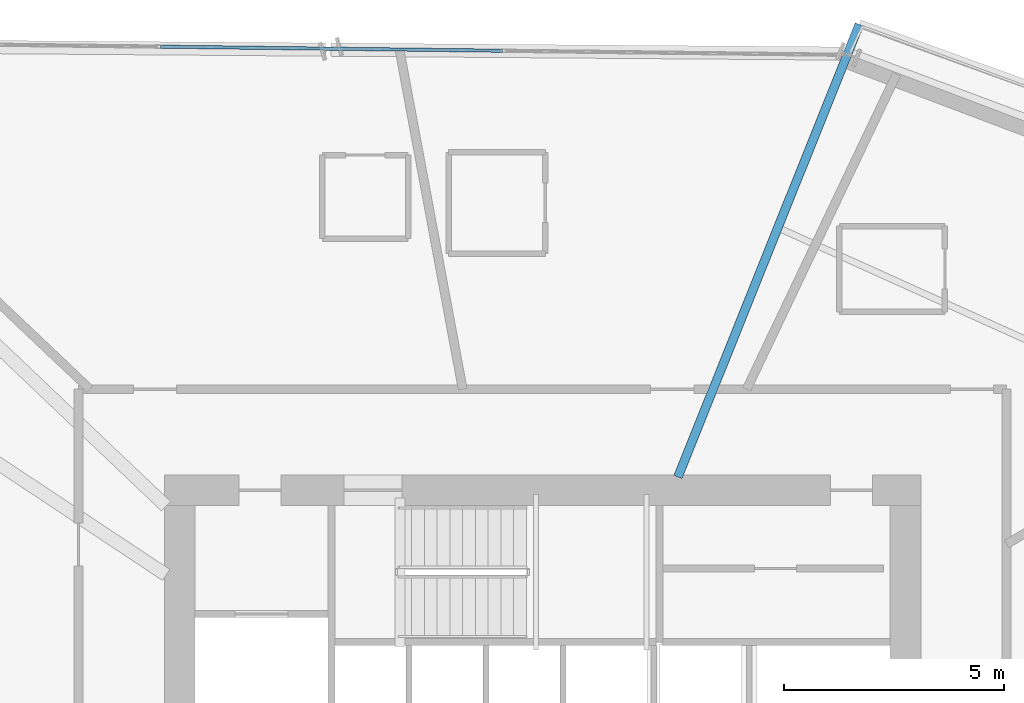
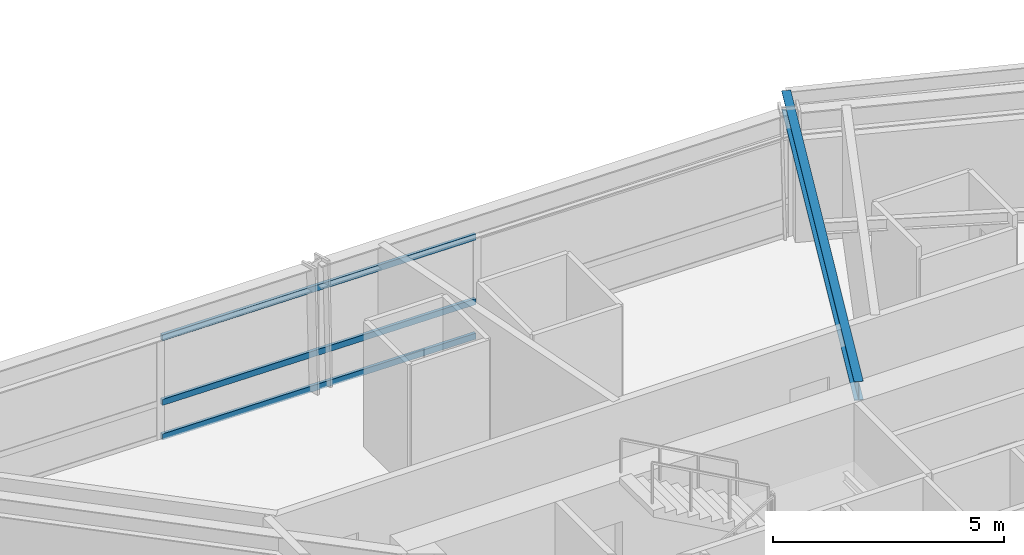
# One storey, part 7 of 21: 3 members, 1 beam, 1 element without a shape of its own.
"""IFC4 building model written with IfcOpenShell, lengths in metres."""

from ifc_helpers import new_model, si_unit, direction, frame, origin, origin_2d, place, context, subcontext, project, spatial, hollow_rectangle, i_section, extrude, source, transform, mapped, material, material_profile, profile_set, type_object, element, aggregate, save


model = new_model("IFC4")

# Units and contexts
model_context = context("Model", 3, precision=1e-05, world=origin(), true_north=direction((0.0, 1.0)))
body_context = subcontext(model_context, "Body", "Model", "MODEL_VIEW")
ifc_project = project(units=[si_unit("LENGTHUNIT", "METRE"), si_unit("AREAUNIT", "SQUARE_METRE"), si_unit("VOLUMEUNIT", "CUBIC_METRE"), si_unit("PLANEANGLEUNIT", "RADIAN"), si_unit("MASSUNIT", "GRAM", prefix="KILO")], contexts=[model_context])

# Site, building, storey
site_placement = place(None, origin())
site = spatial("IfcSite", under=ifc_project, at=site_placement, CompositionType="ELEMENT")
building_placement = place(site_placement, origin())
building = spatial("IfcBuilding", under=site, at=building_placement, Name="Olszyna Solenne Hotel", CompositionType="ELEMENT")
storey_placement = place(building_placement, frame((0.0, 0.0, 91.5)))
storey = spatial("IfcBuildingStorey", under=building, at=storey_placement, Name="L23", CompositionType="ELEMENT", Elevation=91.5)

# Beam
ifc_material_1 = material(Name="Steel S355J2", Category="steel")
ifc_material_profile_1 = material_profile(ifc_material_1, i_section(OverallWidth=0.199951171875, OverallDepth=0.5, WebThickness=0.01025390625, FlangeThickness=0.01611328125, at=origin_2d()), Name="IPE 500", Category="load-bearing")
ifc_profile_set_1 = profile_set([ifc_material_profile_1], Name="Steel S355J2")
beam_type = type_object("IfcBeamType", Name="BM-F3", PredefinedType="BEAM", material=ifc_profile_set_1)
shared_shape_1 = source(origin(), body_context, "Body", "SweptSolid", [
    extrude(i_section(OverallWidth=0.199951171875, OverallDepth=0.5, WebThickness=0.01025390625, FlangeThickness=0.01611328125, at=origin_2d()), origin(), (0.0, 0.0, 1.0), 11.082763671875),
])
beam_placement = place(storey_placement, frame((45.201416015625, 44.639892578125, 3.050048828125), z_axis=(-0.372203331128, -0.928151216288, 0.0), x_axis=(0.928151216288, -0.372203331128, 0.0)))
element("IfcBeam", 1, at=beam_placement, inside=storey, type_object=beam_type, Name="Radial floor girder BM-F3 B-L23-0705", PredefinedType="BEAM", context=body_context, shape_type="MappedRepresentation", body=[
    mapped(shared_shape_1, transform((0.0, 0.0, 0.0), x_axis=(1.0, 0.0, 0.0), y_axis=(0.0, 1.0, 0.0), z_axis=(0.0, 0.0, 1.0), scale=1.0)),
])

# Curtain wall, members
ifc_material_2 = material(Name="Anodised bronze aluminium", Category="aluminium")
curtain_wall_type = type_object("IfcCurtainWallType", Name="CW-SYS-3", PredefinedType="NOTDEFINED", material=ifc_material_2)
curtain_wall_placement = place(storey_placement, origin())
curtain_wall = element("IfcCurtainWall", 2, at=curtain_wall_placement, inside=storey, type_object=curtain_wall_type, Name="Unitised curtain wall CW-SYS-3 CW-L23-02", PredefinedType="NOTDEFINED")
ifc_material_profile_2 = material_profile(ifc_material_2, hollow_rectangle(XDim=0.074951171875, YDim=0.159912109375, WallThickness=0.00390625, at=origin_2d()), Name="TRAN 160x75x4", Category="load-bearing")
ifc_profile_set_2 = profile_set([ifc_material_profile_2], Name="Anodised bronze aluminium")
member_type = type_object("IfcMemberType", Name="CW-T1", PredefinedType="USERDEFINED", material=ifc_profile_set_2)
shared_shape_2 = source(origin(), body_context, "Body", "SweptSolid", [
    extrude(hollow_rectangle(XDim=0.074951171875, YDim=0.159912109375, WallThickness=0.00390625, at=origin_2d()), origin(), (0.0, 0.0, 1.0), 7.772705078125),
])
member_1_placement = place(storey_placement, frame((29.315185546875, 44.136962890625, 0.03759765625), z_axis=(0.999928767025, -0.011935697549, 0.0), x_axis=(0.011935697549, 0.999928767025, 0.0)))
member_1 = element("IfcMember", 3, at=member_1_placement, type_object=member_type, Name="Curtain-wall transom CW-T1 CT-L23-02-04", ObjectType="TRANSOM", PredefinedType="USERDEFINED", context=body_context, shape_type="MappedRepresentation", body=[
    mapped(shared_shape_2, transform((0.0, 0.0, 0.0), x_axis=(1.0, 0.0, 0.0), y_axis=(0.0, 1.0, 0.0), z_axis=(0.0, 0.0, 1.0), scale=1.0)),
])
member_2_placement = place(storey_placement, frame((29.315185546875, 44.136962890625, 0.949951171875), z_axis=(0.999928767025, -0.011935697549, 0.0), x_axis=(0.011935697549, 0.999928767025, 0.0)))
member_2 = element("IfcMember", 4, at=member_2_placement, type_object=member_type, Name="Curtain-wall transom CW-T1 CT-L23-02-05", ObjectType="TRANSOM", PredefinedType="USERDEFINED", context=body_context, shape_type="MappedRepresentation", body=[
    mapped(shared_shape_2, transform((0.0, 0.0, 0.0), x_axis=(1.0, 0.0, 0.0), y_axis=(0.0, 1.0, 0.0), z_axis=(0.0, 0.0, 1.0), scale=1.0)),
])
member_3_placement = place(storey_placement, frame((29.315185546875, 44.136962890625, 2.654541015625), z_axis=(0.999928767025, -0.011935697549, 0.0), x_axis=(0.011935697549, 0.999928767025, 0.0)))
member_3 = element("IfcMember", 5, at=member_3_placement, type_object=member_type, Name="Curtain-wall transom CW-T1 CT-L23-02-06", ObjectType="TRANSOM", PredefinedType="USERDEFINED", context=body_context, shape_type="MappedRepresentation", body=[
    mapped(shared_shape_2, transform((0.0, 0.0, 0.0), x_axis=(1.0, 0.0, 0.0), y_axis=(0.0, 1.0, 0.0), z_axis=(0.0, 0.0, 1.0), scale=1.0)),
])
aggregate(curtain_wall, [member_1, member_2, member_3])

save(model, "model.ifc")
